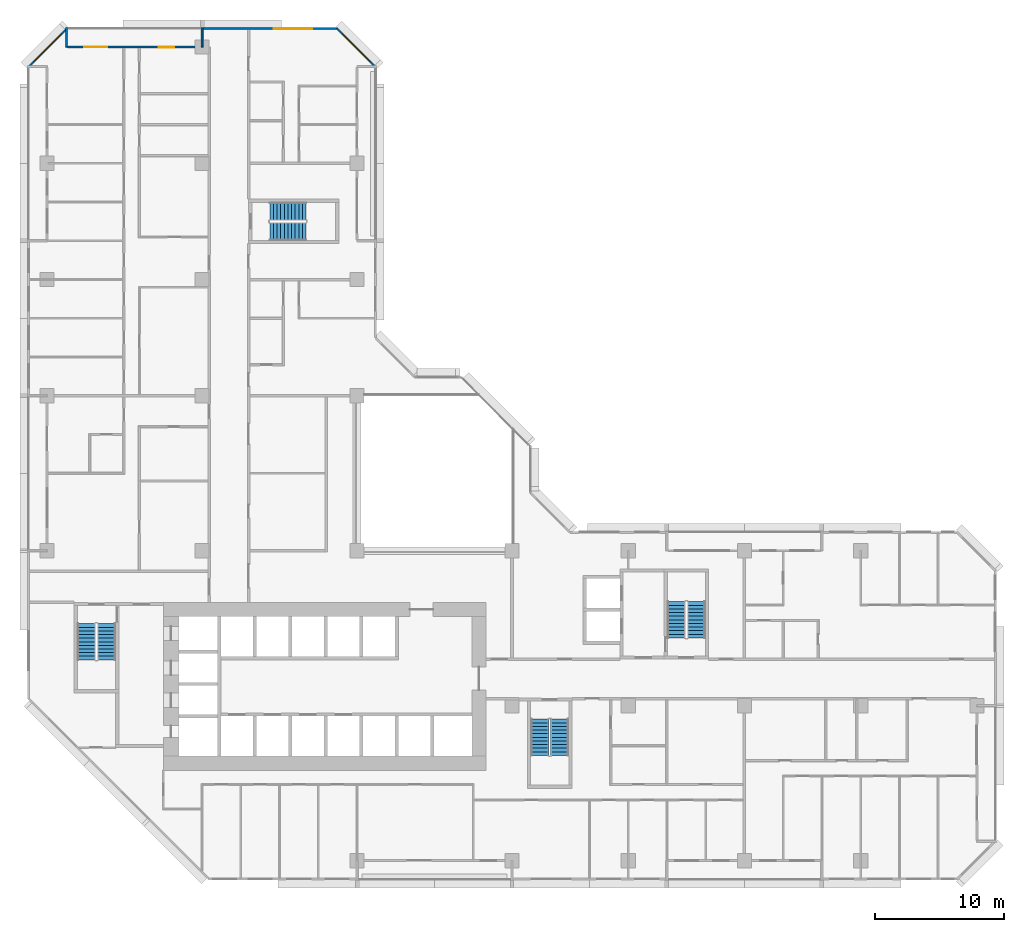
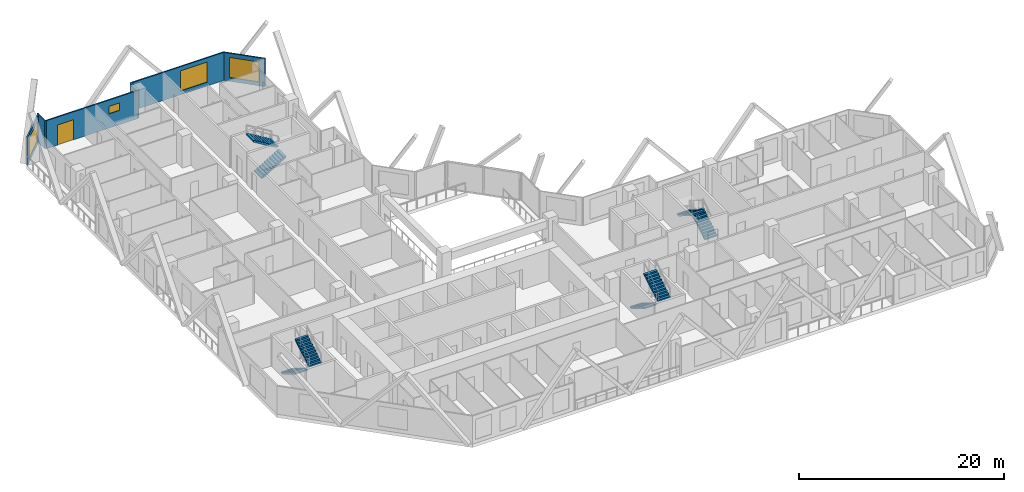
# One storey, part 13 of 15: 8 stair flights, 6 walls, 4 windows, 1 door, 5 openings, 4 elements without a shape of their own.
"""IFC4 building model written with IfcOpenShell, lengths in metres."""

from ifc_helpers import new_model, si_unit, direction, frame, frame_2d, origin, place, context, subcontext, project, spatial, polyline, rectangle, outline, extrude, material, layer, layer_set, type_object, element, fill, aggregate, save


model = new_model("IFC4")

# Units and contexts
model_context = context("Model", 3, precision=1e-05, world=origin(), true_north=direction((0.0, 1.0)))
body_context = subcontext(model_context, "Body", "Model", "MODEL_VIEW")
ifc_project = project(units=[si_unit("LENGTHUNIT", "METRE"), si_unit("AREAUNIT", "SQUARE_METRE"), si_unit("VOLUMEUNIT", "CUBIC_METRE"), si_unit("PLANEANGLEUNIT", "RADIAN"), si_unit("MASSUNIT", "GRAM", prefix="KILO")], contexts=[model_context])

# Site, building, storey
site_placement = place(None, origin())
site = spatial("IfcSite", under=ifc_project, at=site_placement, CompositionType="ELEMENT")
building_placement = place(site_placement, origin())
building = spatial("IfcBuilding", under=site, at=building_placement, Name="Chenar Terraces", CompositionType="ELEMENT")
storey_placement = place(building_placement, frame((0.0, 0.0, 63.89990234375)))
storey = spatial("IfcBuildingStorey", under=building, at=storey_placement, Name="L13", CompositionType="ELEMENT", Elevation=63.89990234375)

# Wall, opening, window
ifc_material_1 = material(Name="Aluminium framed glazing", Category="aluminium")
ifc_layer_1 = layer(ifc_material_1, 0.14990234375)
ifc_layer_set_1 = layer_set([ifc_layer_1], Name="Aluminium framed glazing")
wall_type_1 = type_object("IfcWallType", Name="Glazed flush facade wall 150", PredefinedType="SOLIDWALL", material=ifc_layer_set_1)
wall_1_placement = place(storey_placement, frame((22.5, 64.425048828125, 0.0), z_axis=(0.0, 0.0, 1.0), x_axis=(-1.0, 0.0, 0.0)))
wall_1 = element("IfcWall", 1, at=wall_1_placement, inside=storey, type_object=wall_type_1, Name="Glazed flush facade wall", PredefinedType="SOLIDWALL", context=body_context, shape_type="SweptSolid", body=[
    extrude(rectangle(XDim=10.425048828125, YDim=0.14990234375, at=frame_2d((5.21240234375, 0.0))), origin(), (0.0, 0.0, 1.0), 3.35009765625),
])
opening_1_placement = place(wall_1_placement, frame((1.949951171875, 0.0, 0.449951171875)))
opening_1 = element("IfcOpeningElement", 2, at=opening_1_placement, cuts=wall_1, Name="Opening W300x240", PredefinedType="OPENING", context=body_context, shape_type="SweptSolid", body=[
    extrude(rectangle(XDim=3.0, YDim=2.39990234375, at=frame_2d((1.5, 1.199951171875))), frame((0.0, 0.0849609375, 0.0), z_axis=(0.0, -1.0, 0.0), x_axis=(1.0, 0.0, 0.0)), (0.0, 0.0, 1.0), 0.169921875),
])
ifc_material_2 = material(Name="Low emissivity double glazing, aluminium frame", Category="aluminium")
window_type_1 = type_object("IfcWindowType", Name="Fixed light 3000 x 2400", PartitioningType="SINGLE_PANEL", PredefinedType="WINDOW", material=ifc_material_2)
window_1_placement = place(opening_1_placement, origin())
window_1 = element("IfcWindow", 3, at=window_1_placement, inside=storey, type_object=window_type_1, Name="Window", OverallHeight=2.39990234375, OverallWidth=3.0, PartitioningType="SINGLE_PANEL", PredefinedType="WINDOW", context=body_context, shape_type="SweptSolid", body=[
    extrude(rectangle(XDim=3.0, YDim=2.39990234375, at=frame_2d((1.5, 1.199951171875))), frame((0.0, 0.030029296875, 0.0), z_axis=(0.0, -1.0, 0.0), x_axis=(1.0, 0.0, 0.0)), (0.0, 0.0, 1.0), 0.06005859375),
])
fill(opening_1, window_1)

# Wall, openings, window, door
ifc_material_3 = material(Name="Aluminium framed glazing", Category="aluminium")
ifc_layer_2 = layer(ifc_material_3, 0.14990234375)
ifc_layer_set_2 = layer_set([ifc_layer_2], Name="Aluminium framed glazing")
wall_type_2 = type_object("IfcWallType", Name="Glazed loggia back wall 150", PredefinedType="SOLIDWALL", material=ifc_layer_set_2)
wall_2_placement = place(storey_placement, frame((11.925048828125, 63.0, 0.0), z_axis=(0.0, 0.0, 1.0), x_axis=(-1.0, 0.0, 0.0)))
wall_2 = element("IfcWall", 4, at=wall_2_placement, inside=storey, type_object=wall_type_2, Name="Glazed loggia back wall", PredefinedType="SOLIDWALL", context=body_context, shape_type="SweptSolid", body=[
    extrude(rectangle(XDim=10.35009765625, YDim=0.14990234375, at=frame_2d((5.175048828125, 0.0))), origin(), (0.0, 0.0, 1.0), 3.35009765625),
])
opening_2_placement = place(wall_2_placement, frame((2.074951171875, 0.0, 1.699951171875)))
opening_2 = element("IfcOpeningElement", 5, at=opening_2_placement, cuts=wall_2, Name="Opening W120x90", PredefinedType="OPENING", context=body_context, shape_type="SweptSolid", body=[
    extrude(rectangle(XDim=1.199951171875, YDim=0.89990234375, at=frame_2d((0.60009765625, 0.449951171875))), frame((0.0, 0.0849609375, 0.0), z_axis=(0.0, -1.0, 0.0), x_axis=(1.0, 0.0, 0.0)), (0.0, 0.0, 1.0), 0.169921875),
])
opening_3_placement = place(wall_2_placement, frame((7.262451171875, 0.0, 0.0)))
opening_3 = element("IfcOpeningElement", 6, at=opening_3_placement, cuts=wall_2, Name="Opening DL13-G2", PredefinedType="OPENING", context=body_context, shape_type="SweptSolid", body=[
    extrude(rectangle(XDim=1.800048828125, YDim=2.39990234375, at=frame_2d((0.89990234375, 1.199951171875))), frame((0.0, 0.0849609375, 0.0), z_axis=(0.0, -1.0, 0.0), x_axis=(1.0, 0.0, 0.0)), (0.0, 0.0, 1.0), 0.169921875),
])
ifc_material_4 = material(Name="Low emissivity double glazing, aluminium frame", Category="aluminium")
window_type_2 = type_object("IfcWindowType", Name="Fixed light 1200 x 900", PartitioningType="SINGLE_PANEL", PredefinedType="WINDOW", material=ifc_material_4)
window_2_placement = place(opening_2_placement, origin())
window_2 = element("IfcWindow", 7, at=window_2_placement, inside=storey, type_object=window_type_2, Name="Window", OverallHeight=0.89990234375, OverallWidth=1.199951171875, PartitioningType="SINGLE_PANEL", PredefinedType="WINDOW", context=body_context, shape_type="SweptSolid", body=[
    extrude(rectangle(XDim=1.199951171875, YDim=0.89990234375, at=frame_2d((0.60009765625, 0.449951171875))), frame((0.0, 0.030029296875, 0.0), z_axis=(0.0, -1.0, 0.0), x_axis=(1.0, 0.0, 0.0)), (0.0, 0.0, 1.0), 0.06005859375),
])
fill(opening_2, window_2)
ifc_material_5 = material(Name="Low emissivity double glazing, aluminium frame", Category="aluminium")
door_type = type_object("IfcDoorType", Name="Loggia glazed double door 1800 x 2400", OperationType="DOUBLE_DOOR_SINGLE_SWING", PredefinedType="DOOR", material=ifc_material_5)
door_placement = place(opening_3_placement, frame((1.800048828125, 0.0, 0.0), z_axis=(0.0, 0.0, 1.0), x_axis=(-1.0, 0.0, 0.0)))
door = element("IfcDoor", 8, at=door_placement, inside=storey, type_object=door_type, Name="Loggia glazed door", OperationType="DOUBLE_DOOR_SINGLE_SWING", OverallHeight=2.39990234375, OverallWidth=1.800048828125, PredefinedType="DOOR", context=body_context, shape_type="SweptSolid", body=[
    extrude(rectangle(XDim=1.800048828125, YDim=2.39990234375, at=frame_2d((0.89990234375, 1.199951171875))), frame((0.0, 0.02490234375, 0.0), z_axis=(0.0, -1.0, 0.0), x_axis=(1.0, 0.0, 0.0)), (0.0, 0.0, 1.0), 0.050048828125),
])
fill(opening_3, door)

# Walls
ifc_material_6 = material(Name="Terracotta cladding on insulated backing", Category="masonry")
ifc_layer_3 = layer(ifc_material_6, 0.14990234375)
ifc_layer_set_3 = layer_set([ifc_layer_3], Name="Terracotta cladding on insulated backing")
wall_type_3 = type_object("IfcWallType", Name="Loggia return wall 150", PredefinedType="SOLIDWALL", material=ifc_layer_set_3)
for number, where, z_axis, x_axis, name in (
    (9, (12.0, 64.5, 0.0), (0.0, 0.0, 1.0), (0.0, -1.0, 0.0), "Loggia return wall"),
    (10, (1.5, 64.5, 0.0), (0.0, 0.0, 1.0), (0.0, -1.0, 0.0), "Loggia return wall"),
):
    element("IfcWall", number, at=place(storey_placement, frame(where, z_axis=z_axis, x_axis=x_axis)), inside=storey, type_object=wall_type_3, Name=name, PredefinedType="SOLIDWALL", context=body_context, shape_type="SweptSolid", body=[
        extrude(rectangle(XDim=1.5, YDim=0.14990234375, at=frame_2d((0.75, 0.0))), origin(), (0.0, 0.0, 1.0), 3.35009765625),
    ])

# Wall, opening, window
ifc_material_7 = material(Name="Terracotta cladding on insulated backing", Category="masonry")
ifc_layer_4 = layer(ifc_material_7, 0.14990234375)
ifc_layer_set_4 = layer_set([ifc_layer_4], Name="Terracotta cladding on insulated backing")
wall_type_4 = type_object("IfcWallType", Name="Terracotta rainscreen wall 150", PredefinedType="SOLIDWALL", material=ifc_layer_set_4)
wall_3_placement = place(storey_placement, frame((25.447021484375, 61.447021484375, 0.0), z_axis=(0.0, 0.0, 1.0), x_axis=(-0.707106781187, 0.707106781187, 0.0)))
wall_3 = element("IfcWall", 11, at=wall_3_placement, inside=storey, type_object=wall_type_4, Name="Terracotta rainscreen wall", PredefinedType="SOLIDWALL", context=body_context, shape_type="SweptSolid", body=[
    extrude(rectangle(XDim=4.24267578125, YDim=0.14990234375, at=frame_2d((2.121337890625, 0.0))), origin(), (0.0, 0.0, 1.0), 3.35009765625),
])
opening_4_placement = place(wall_3_placement, frame((0.621337890625, 0.0, 0.449951171875)))
opening_4 = element("IfcOpeningElement", 12, at=opening_4_placement, cuts=wall_3, Name="Opening W300x240", PredefinedType="OPENING", context=body_context, shape_type="SweptSolid", body=[
    extrude(rectangle(XDim=3.0, YDim=2.39990234375, at=frame_2d((1.5, 1.199951171875))), frame((0.0, 0.0849609375, 0.0), z_axis=(0.0, -1.0, 0.0), x_axis=(1.0, 0.0, 0.0)), (0.0, 0.0, 1.0), 0.169921875),
])
window_3_placement = place(opening_4_placement, origin())
window_3 = element("IfcWindow", 13, at=window_3_placement, inside=storey, type_object=window_type_1, Name="Window", OverallHeight=2.39990234375, OverallWidth=3.0, PartitioningType="SINGLE_PANEL", PredefinedType="WINDOW", context=body_context, shape_type="SweptSolid", body=[
    extrude(rectangle(XDim=3.0, YDim=2.39990234375, at=frame_2d((1.5, 1.199951171875))), frame((0.0, 0.030029296875, 0.0), z_axis=(0.0, -1.0, 0.0), x_axis=(1.0, 0.0, 0.0)), (0.0, 0.0, 1.0), 0.06005859375),
])
fill(opening_4, window_3)

wall_4_placement = place(storey_placement, frame((1.552978515625, 64.447021484375, 0.0), z_axis=(0.0, 0.0, 1.0), x_axis=(-0.707106781187, -0.707106781187, 0.0)))
wall_4 = element("IfcWall", 14, at=wall_4_placement, inside=storey, type_object=wall_type_4, Name="Terracotta rainscreen wall", PredefinedType="SOLIDWALL", context=body_context, shape_type="SweptSolid", body=[
    extrude(rectangle(XDim=4.24267578125, YDim=0.14990234375, at=frame_2d((2.121337890625, 0.0))), origin(), (0.0, 0.0, 1.0), 3.35009765625),
])
opening_5_placement = place(wall_4_placement, frame((0.621337890625, 0.0, 0.449951171875)))
opening_5 = element("IfcOpeningElement", 15, at=opening_5_placement, cuts=wall_4, Name="Opening W300x240", PredefinedType="OPENING", context=body_context, shape_type="SweptSolid", body=[
    extrude(rectangle(XDim=3.0, YDim=2.39990234375, at=frame_2d((1.5, 1.199951171875))), frame((0.0, 0.0849609375, 0.0), z_axis=(0.0, -1.0, 0.0), x_axis=(1.0, 0.0, 0.0)), (0.0, 0.0, 1.0), 0.169921875),
])
window_4_placement = place(opening_5_placement, origin())
window_4 = element("IfcWindow", 16, at=window_4_placement, inside=storey, type_object=window_type_1, Name="Window", OverallHeight=2.39990234375, OverallWidth=3.0, PartitioningType="SINGLE_PANEL", PredefinedType="WINDOW", context=body_context, shape_type="SweptSolid", body=[
    extrude(rectangle(XDim=3.0, YDim=2.39990234375, at=frame_2d((1.5, 1.199951171875))), frame((0.0, 0.030029296875, 0.0), z_axis=(0.0, -1.0, 0.0), x_axis=(1.0, 0.0, 0.0)), (0.0, 0.0, 1.0), 0.06005859375),
])
fill(opening_5, window_4)

# Stair, stair flights
ifc_material_8 = material(Name="Reinforced concrete C40/50", Category="concrete")
stair_type = type_object("IfcStairType", Name="Core stair 1400 half-turn", PredefinedType="HALF_TURN_STAIR", material=ifc_material_8)
placement = place(storey_placement, origin())
stair_1 = element("IfcStair", 17, at=placement, inside=storey, type_object=stair_type, Name="L13 Stair 1", PredefinedType="HALF_TURN_STAIR")
ifc_material_9 = material(Name="Reinforced concrete C40/50", Category="concrete")
stair_flight_type = type_object("IfcStairFlightType", Name="Core stair flight 1400", PredefinedType="STRAIGHT", material=ifc_material_9)
stair_flight_1_placement = place(storey_placement, frame((3.050048828125, 18.35009765625, 0.0), z_axis=(0.0, 0.0, 1.0), x_axis=(0.0, -1.0, 0.0)))
stair_flight_1 = element("IfcStairFlight", 18, at=stair_flight_1_placement, type_object=stair_flight_type, Name="ST1 flight 1", NumberOfRisers=11, NumberOfTreads=10, PredefinedType="STRAIGHT", RiserHeight=0.170454545, TreadLength=0.28, context=body_context, shape_type="SweptSolid", body=[
    extrude(outline(polyline([(-0.0029296875, 0.0), (-0.0029296875, 0.17041015625), (0.0, 0.17041015625), (0.280029296875, 0.17041015625), (0.280029296875, 0.3408203125), (0.56005859375, 0.3408203125), (0.56005859375, 0.511474609375), (0.840087890625, 0.511474609375), (0.840087890625, 0.681884765625), (1.1201171875, 0.681884765625), (1.1201171875, 0.852294921875), (1.39990234375, 0.852294921875), (1.39990234375, 1.022705078125), (1.679931640625, 1.022705078125), (1.679931640625, 1.193115234375), (1.9599609375, 1.193115234375), (1.9599609375, 1.363525390625), (2.239990234375, 1.363525390625), (2.239990234375, 1.5341796875), (2.52001953125, 1.5341796875), (2.52001953125, 1.70458984375), (2.800048828125, 1.70458984375), (2.802978515625, 1.70458984375), (2.802978515625, 1.529052734375), (2.800048828125, 1.529052734375), (0.288330078125, 0.0), (-0.0029296875, 0.0)])), frame((0.0, 0.699951171875, 0.0), z_axis=(0.0, -1.0, 0.0), x_axis=(1.0, 0.0, 0.0)), (0.0, 0.0, 1.0), 1.39990234375),
])
stair_flight_2_placement = place(storey_placement, frame((4.60009765625, 15.550048828125, 1.875), z_axis=(0.0, 0.0, 1.0), x_axis=(0.0, 1.0, 0.0)))
stair_flight_2 = element("IfcStairFlight", 19, at=stair_flight_2_placement, type_object=stair_flight_type, Name="ST1 flight 2", NumberOfRisers=11, NumberOfTreads=10, PredefinedType="STRAIGHT", RiserHeight=0.170454545, TreadLength=0.28, context=body_context, shape_type="SweptSolid", body=[
    extrude(outline(polyline([(-0.0029296875, 0.0), (-0.0029296875, 0.17041015625), (0.0, 0.17041015625), (0.280029296875, 0.17041015625), (0.280029296875, 0.3408203125), (0.56005859375, 0.3408203125), (0.56005859375, 0.511474609375), (0.840087890625, 0.511474609375), (0.840087890625, 0.681884765625), (1.1201171875, 0.681884765625), (1.1201171875, 0.852294921875), (1.39990234375, 0.852294921875), (1.39990234375, 1.022705078125), (1.679931640625, 1.022705078125), (1.679931640625, 1.193115234375), (1.9599609375, 1.193115234375), (1.9599609375, 1.363525390625), (2.239990234375, 1.363525390625), (2.239990234375, 1.5341796875), (2.52001953125, 1.5341796875), (2.52001953125, 1.70458984375), (2.800048828125, 1.70458984375), (2.802978515625, 1.70458984375), (2.802978515625, 1.529052734375), (2.800048828125, 1.529052734375), (0.288330078125, 0.0), (-0.0029296875, 0.0)])), frame((0.0, 0.699951171875, 0.0), z_axis=(0.0, -1.0, 0.0), x_axis=(1.0, 0.0, 0.0)), (0.0, 0.0, 1.0), 1.39990234375),
])
aggregate(stair_1, [stair_flight_1, stair_flight_2])

stair_2 = element("IfcStair", 20, at=placement, inside=storey, type_object=stair_type, Name="L13 Stair 2", PredefinedType="HALF_TURN_STAIR")
stair_flight_3_placement = place(storey_placement, frame((38.14990234375, 10.949951171875, 0.0), z_axis=(0.0, 0.0, 1.0), x_axis=(0.0, -1.0, 0.0)))
stair_flight_3 = element("IfcStairFlight", 21, at=stair_flight_3_placement, type_object=stair_flight_type, Name="ST2 flight 1", NumberOfRisers=11, NumberOfTreads=10, PredefinedType="STRAIGHT", RiserHeight=0.170454545, TreadLength=0.28, context=body_context, shape_type="SweptSolid", body=[
    extrude(outline(polyline([(-0.0029296875, 0.0), (-0.0029296875, 0.17041015625), (0.0, 0.17041015625), (0.280029296875, 0.17041015625), (0.280029296875, 0.3408203125), (0.56005859375, 0.3408203125), (0.56005859375, 0.511474609375), (0.840087890625, 0.511474609375), (0.840087890625, 0.681884765625), (1.1201171875, 0.681884765625), (1.1201171875, 0.852294921875), (1.39990234375, 0.852294921875), (1.39990234375, 1.022705078125), (1.679931640625, 1.022705078125), (1.679931640625, 1.193115234375), (1.9599609375, 1.193115234375), (1.9599609375, 1.363525390625), (2.239990234375, 1.363525390625), (2.239990234375, 1.5341796875), (2.52001953125, 1.5341796875), (2.52001953125, 1.70458984375), (2.800048828125, 1.70458984375), (2.802978515625, 1.70458984375), (2.802978515625, 1.529052734375), (2.800048828125, 1.529052734375), (0.288330078125, 0.0), (-0.0029296875, 0.0)])), frame((0.0, 0.699951171875, 0.0), z_axis=(0.0, -1.0, 0.0), x_axis=(1.0, 0.0, 0.0)), (0.0, 0.0, 1.0), 1.39990234375),
])
stair_flight_4_placement = place(storey_placement, frame((39.699951171875, 8.14990234375, 1.875), z_axis=(0.0, 0.0, 1.0), x_axis=(0.0, 1.0, 0.0)))
stair_flight_4 = element("IfcStairFlight", 22, at=stair_flight_4_placement, type_object=stair_flight_type, Name="ST2 flight 2", NumberOfRisers=11, NumberOfTreads=10, PredefinedType="STRAIGHT", RiserHeight=0.170454545, TreadLength=0.28, context=body_context, shape_type="SweptSolid", body=[
    extrude(outline(polyline([(-0.0029296875, 0.0), (-0.0029296875, 0.17041015625), (0.0, 0.17041015625), (0.280029296875, 0.17041015625), (0.280029296875, 0.3408203125), (0.56005859375, 0.3408203125), (0.56005859375, 0.511474609375), (0.840087890625, 0.511474609375), (0.840087890625, 0.681884765625), (1.1201171875, 0.681884765625), (1.1201171875, 0.852294921875), (1.39990234375, 0.852294921875), (1.39990234375, 1.022705078125), (1.679931640625, 1.022705078125), (1.679931640625, 1.193115234375), (1.9599609375, 1.193115234375), (1.9599609375, 1.363525390625), (2.239990234375, 1.363525390625), (2.239990234375, 1.5341796875), (2.52001953125, 1.5341796875), (2.52001953125, 1.70458984375), (2.800048828125, 1.70458984375), (2.802978515625, 1.70458984375), (2.802978515625, 1.529052734375), (2.800048828125, 1.529052734375), (0.288330078125, 0.0), (-0.0029296875, 0.0)])), frame((0.0, 0.699951171875, 0.0), z_axis=(0.0, -1.0, 0.0), x_axis=(1.0, 0.0, 0.0)), (0.0, 0.0, 1.0), 1.39990234375),
])
aggregate(stair_2, [stair_flight_3, stair_flight_4])

stair_3 = element("IfcStair", 23, at=placement, inside=storey, type_object=stair_type, Name="L13 Stair 3", PredefinedType="HALF_TURN_STAIR")
stair_flight_5_placement = place(storey_placement, frame((50.27490234375, 17.25, 0.0), z_axis=(0.0, 0.0, 1.0), x_axis=(0.0, 1.0, 0.0)))
stair_flight_5 = element("IfcStairFlight", 24, at=stair_flight_5_placement, type_object=stair_flight_type, Name="ST3 flight 1", NumberOfRisers=11, NumberOfTreads=10, PredefinedType="STRAIGHT", RiserHeight=0.170454545, TreadLength=0.28, context=body_context, shape_type="SweptSolid", body=[
    extrude(outline(polyline([(-0.0029296875, 0.0), (-0.0029296875, 0.17041015625), (0.0, 0.17041015625), (0.280029296875, 0.17041015625), (0.280029296875, 0.3408203125), (0.56005859375, 0.3408203125), (0.56005859375, 0.511474609375), (0.840087890625, 0.511474609375), (0.840087890625, 0.681884765625), (1.1201171875, 0.681884765625), (1.1201171875, 0.852294921875), (1.39990234375, 0.852294921875), (1.39990234375, 1.022705078125), (1.679931640625, 1.022705078125), (1.679931640625, 1.193115234375), (1.9599609375, 1.193115234375), (1.9599609375, 1.363525390625), (2.239990234375, 1.363525390625), (2.239990234375, 1.5341796875), (2.52001953125, 1.5341796875), (2.52001953125, 1.70458984375), (2.800048828125, 1.70458984375), (2.802978515625, 1.70458984375), (2.802978515625, 1.529052734375), (2.800048828125, 1.529052734375), (0.288330078125, 0.0), (-0.0029296875, 0.0)])), frame((0.0, 0.699951171875, 0.0), z_axis=(0.0, -1.0, 0.0), x_axis=(1.0, 0.0, 0.0)), (0.0, 0.0, 1.0), 1.39990234375),
])
stair_flight_6_placement = place(storey_placement, frame((48.72509765625, 20.050048828125, 1.875), z_axis=(0.0, 0.0, 1.0), x_axis=(0.0, -1.0, 0.0)))
stair_flight_6 = element("IfcStairFlight", 25, at=stair_flight_6_placement, type_object=stair_flight_type, Name="ST3 flight 2", NumberOfRisers=11, NumberOfTreads=10, PredefinedType="STRAIGHT", RiserHeight=0.170454545, TreadLength=0.28, context=body_context, shape_type="SweptSolid", body=[
    extrude(outline(polyline([(-0.0029296875, 0.0), (-0.0029296875, 0.17041015625), (0.0, 0.17041015625), (0.280029296875, 0.17041015625), (0.280029296875, 0.3408203125), (0.56005859375, 0.3408203125), (0.56005859375, 0.511474609375), (0.840087890625, 0.511474609375), (0.840087890625, 0.681884765625), (1.1201171875, 0.681884765625), (1.1201171875, 0.852294921875), (1.39990234375, 0.852294921875), (1.39990234375, 1.022705078125), (1.679931640625, 1.022705078125), (1.679931640625, 1.193115234375), (1.9599609375, 1.193115234375), (1.9599609375, 1.363525390625), (2.239990234375, 1.363525390625), (2.239990234375, 1.5341796875), (2.52001953125, 1.5341796875), (2.52001953125, 1.70458984375), (2.800048828125, 1.70458984375), (2.802978515625, 1.70458984375), (2.802978515625, 1.529052734375), (2.800048828125, 1.529052734375), (0.288330078125, 0.0), (-0.0029296875, 0.0)])), frame((0.0, 0.699951171875, 0.0), z_axis=(0.0, -1.0, 0.0), x_axis=(1.0, 0.0, 0.0)), (0.0, 0.0, 1.0), 1.39990234375),
])
aggregate(stair_3, [stair_flight_5, stair_flight_6])

stair_4 = element("IfcStair", 26, at=placement, inside=storey, type_object=stair_type, Name="L13 Stair 4", PredefinedType="HALF_TURN_STAIR")
stair_flight_7_placement = place(storey_placement, frame((17.25, 48.72509765625, 0.0), z_axis=(0.0, 0.0, 1.0), x_axis=(1.0, 0.0, 0.0)))
stair_flight_7 = element("IfcStairFlight", 27, at=stair_flight_7_placement, type_object=stair_flight_type, Name="ST4 flight 1", NumberOfRisers=11, NumberOfTreads=10, PredefinedType="STRAIGHT", RiserHeight=0.170454545, TreadLength=0.28, context=body_context, shape_type="SweptSolid", body=[
    extrude(outline(polyline([(-0.0029296875, 0.0), (-0.0029296875, 0.17041015625), (0.0, 0.17041015625), (0.280029296875, 0.17041015625), (0.280029296875, 0.3408203125), (0.56005859375, 0.3408203125), (0.56005859375, 0.511474609375), (0.840087890625, 0.511474609375), (0.840087890625, 0.681884765625), (1.1201171875, 0.681884765625), (1.1201171875, 0.852294921875), (1.39990234375, 0.852294921875), (1.39990234375, 1.022705078125), (1.679931640625, 1.022705078125), (1.679931640625, 1.193115234375), (1.9599609375, 1.193115234375), (1.9599609375, 1.363525390625), (2.239990234375, 1.363525390625), (2.239990234375, 1.5341796875), (2.52001953125, 1.5341796875), (2.52001953125, 1.70458984375), (2.800048828125, 1.70458984375), (2.802978515625, 1.70458984375), (2.802978515625, 1.529052734375), (2.800048828125, 1.529052734375), (0.288330078125, 0.0), (-0.0029296875, 0.0)])), frame((0.0, 0.699951171875, 0.0), z_axis=(0.0, -1.0, 0.0), x_axis=(1.0, 0.0, 0.0)), (0.0, 0.0, 1.0), 1.39990234375),
])
stair_flight_8_placement = place(storey_placement, frame((20.050048828125, 50.27490234375, 1.875), z_axis=(0.0, 0.0, 1.0), x_axis=(-1.0, 0.0, 0.0)))
stair_flight_8 = element("IfcStairFlight", 28, at=stair_flight_8_placement, type_object=stair_flight_type, Name="ST4 flight 2", NumberOfRisers=11, NumberOfTreads=10, PredefinedType="STRAIGHT", RiserHeight=0.170454545, TreadLength=0.28, context=body_context, shape_type="SweptSolid", body=[
    extrude(outline(polyline([(-0.0029296875, 0.0), (-0.0029296875, 0.17041015625), (0.0, 0.17041015625), (0.280029296875, 0.17041015625), (0.280029296875, 0.3408203125), (0.56005859375, 0.3408203125), (0.56005859375, 0.511474609375), (0.840087890625, 0.511474609375), (0.840087890625, 0.681884765625), (1.1201171875, 0.681884765625), (1.1201171875, 0.852294921875), (1.39990234375, 0.852294921875), (1.39990234375, 1.022705078125), (1.679931640625, 1.022705078125), (1.679931640625, 1.193115234375), (1.9599609375, 1.193115234375), (1.9599609375, 1.363525390625), (2.239990234375, 1.363525390625), (2.239990234375, 1.5341796875), (2.52001953125, 1.5341796875), (2.52001953125, 1.70458984375), (2.800048828125, 1.70458984375), (2.802978515625, 1.70458984375), (2.802978515625, 1.529052734375), (2.800048828125, 1.529052734375), (0.288330078125, 0.0), (-0.0029296875, 0.0)])), frame((0.0, 0.699951171875, 0.0), z_axis=(0.0, -1.0, 0.0), x_axis=(1.0, 0.0, 0.0)), (0.0, 0.0, 1.0), 1.39990234375),
])
aggregate(stair_4, [stair_flight_7, stair_flight_8])

save(model, "model.ifc")
